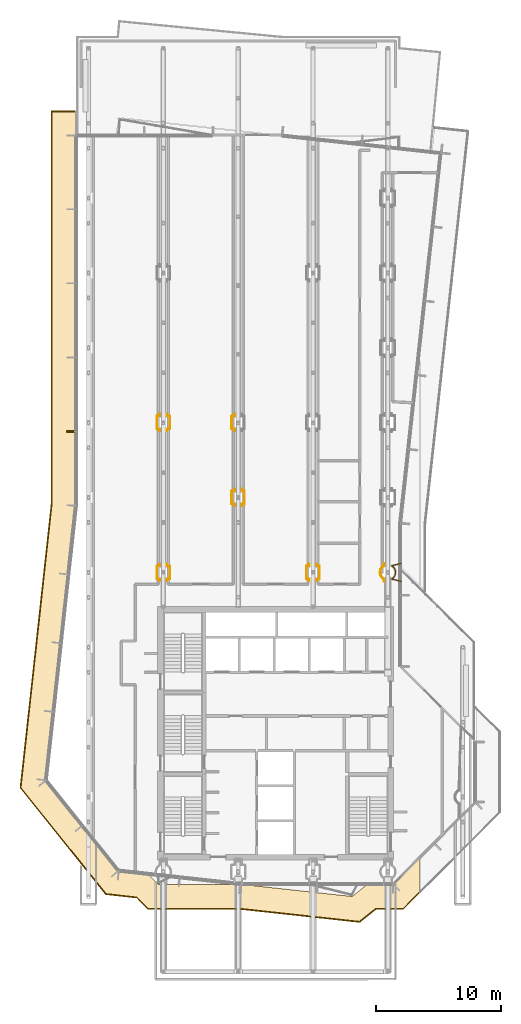
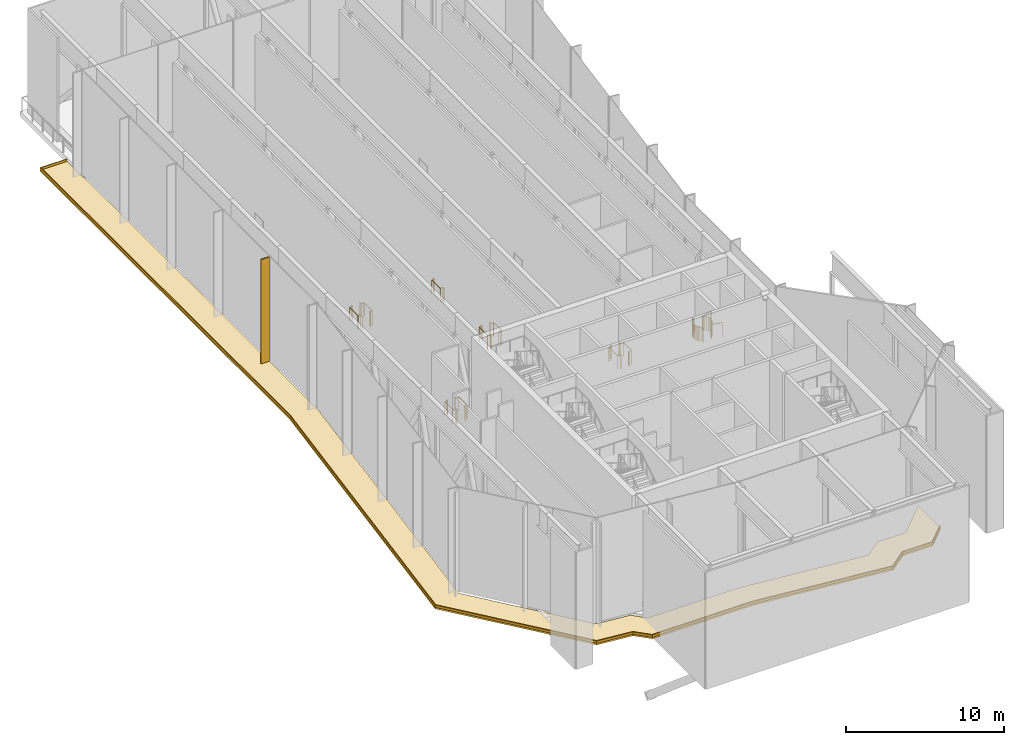
# One storey, part 19 of 21: 11 railings, 3 coverings.
"""IFC4 building model written with IfcOpenShell, lengths in metres."""

from ifc_helpers import new_model, si_unit, direction, frame, origin, origin_2d, place, context, subcontext, project, spatial, polyline, rectangle, circle, outline, extrude, material, layer, layer_set, type_object, element, save


model = new_model("IFC4")

# Units and contexts
model_context = context("Model", 3, precision=1e-05, world=origin(), true_north=direction((0.0, 1.0)))
body_context = subcontext(model_context, "Body", "Model", "MODEL_VIEW")
ifc_project = project(units=[si_unit("LENGTHUNIT", "METRE"), si_unit("AREAUNIT", "SQUARE_METRE"), si_unit("VOLUMEUNIT", "CUBIC_METRE"), si_unit("PLANEANGLEUNIT", "RADIAN"), si_unit("MASSUNIT", "GRAM", prefix="KILO")], contexts=[model_context])

# Site, building, storey
site_placement = place(None, origin())
site = spatial("IfcSite", under=ifc_project, at=site_placement, CompositionType="ELEMENT")
building_placement = place(site_placement, origin())
building = spatial("IfcBuilding", under=site, at=building_placement, Name="Welwitschia Terrace Campus", CompositionType="ELEMENT")
storey_placement = place(building_placement, frame((0.0, 0.0, 255.800048828125)))
storey = spatial("IfcBuildingStorey", under=building, at=storey_placement, Name="L57", CompositionType="ELEMENT", Elevation=255.800048828125)

# Covering
ifc_material_1 = material(Name="Bronze anodised aluminium", Category="aluminium")
ifc_layer_1 = layer(ifc_material_1, 0.10009765625)
ifc_layer_set_1 = layer_set([ifc_layer_1], Name="Bronze anodised aluminium")
covering_type_1 = type_object("IfcCoveringType", Name="Bronze fin 100x600", PredefinedType="USERDEFINED", material=ifc_layer_set_1)
covering_1_placement = place(storey_placement, frame((-1.429931640625, 39.286865234375, 0.0), z_axis=(0.0, 0.0, 1.0), x_axis=(0.0, -1.0, 0.0)))
element("IfcCovering", 1, at=covering_1_placement, inside=storey, type_object=covering_type_1, Name="Fin L57.7.4", ObjectType="FIN", PredefinedType="USERDEFINED", context=body_context, shape_type="SweptSolid", body=[
    extrude(rectangle(XDim=0.10009765625, YDim=0.60009765625, at=origin_2d()), origin(), (0.0, 0.0, 1.0), 8.050048828125),
])

# Railings
ifc_material_2 = material(Name="Stainless steel grade 316", Category="steel")
railing_type = type_object("IfcRailingType", Name="Guard 1100", PredefinedType="GUARDRAIL", material=ifc_material_2)
railing_1_placement = place(storey_placement, frame((23.695068359375, 28.71728515625, 0.0)))
element("IfcRailing", 2, at=railing_1_placement, inside=storey, type_object=railing_type, Name="Guard floor edge L57.6", PredefinedType="GUARDRAIL", context=body_context, shape_type="SweptSolid", body=[
    extrude(circle(Radius=0.02392578125, at=origin_2d()), frame((0.0, 0.0, 1.076171875), z_axis=(0.0, -1.0, 0.0), x_axis=(1.0, 0.0, 0.0)), (0.0, 0.0, 1.0), 0.179931640625),
    extrude(circle(Radius=0.02392578125, at=origin_2d()), frame((0.0, -0.179931640625, 1.076171875), z_axis=(-0.882203075316, -0.470869126089, 0.0), x_axis=(0.470869126089, -0.882203075316, 0.0)), (0.0, 0.0, 1.0), 0.045166015625),
    extrude(circle(Radius=0.02392578125, at=origin_2d()), frame((-0.039794921875, -0.201171875, 1.076171875), z_axis=(-0.771988113438, -0.63563696613, 0.0), x_axis=(0.63563696613, -0.771988113438, 0.0)), (0.0, 0.0, 1.0), 0.121826171875),
    extrude(circle(Radius=0.02392578125, at=origin_2d()), frame((-0.1337890625, -0.278564453125, 1.076171875), z_axis=(-0.63563696613, -0.771988113438, 0.0), x_axis=(0.771988113438, -0.63563696613, 0.0)), (0.0, 0.0, 1.0), 0.121826171875),
    extrude(circle(Radius=0.02392578125, at=origin_2d()), frame((-0.211181640625, -0.37255859375, 1.076171875), z_axis=(-0.470379554069, -0.882464206138, 0.0), x_axis=(0.882464206138, -0.470379554069, 0.0)), (0.0, 0.0, 1.0), 0.121337890625),
    extrude(circle(Radius=0.02392578125, at=origin_2d()), frame((-0.268310546875, -0.479736328125, 1.076171875), z_axis=(-0.290842335819, -0.956770994384, 0.0), x_axis=(0.956770994384, -0.290842335819, 0.0)), (0.0, 0.0, 1.0), 0.121826171875),
    extrude(circle(Radius=0.02392578125, at=origin_2d()), frame((-0.3037109375, -0.59619140625, 1.076171875), z_axis=(-0.098311749281, -0.995155666192, 0.0), x_axis=(0.995155666192, -0.098311749281, 0.0)), (0.0, 0.0, 1.0), 0.12158203125),
    extrude(circle(Radius=0.02392578125, at=origin_2d()), frame((-0.315673828125, -0.71728515625, 1.076171875), z_axis=(0.098311749281, -0.995155666192, 0.0), x_axis=(0.995155666192, 0.098311749281, 0.0)), (0.0, 0.0, 1.0), 0.12158203125),
    extrude(circle(Radius=0.02392578125, at=origin_2d()), frame((-0.3037109375, -0.83837890625, 1.076171875), z_axis=(0.290842335819, -0.956770994384, 0.0), x_axis=(0.956770994384, 0.290842335819, 0.0)), (0.0, 0.0, 1.0), 0.121826171875),
    extrude(circle(Radius=0.02392578125, at=origin_2d()), frame((-0.268310546875, -0.954833984375, 1.076171875), z_axis=(0.470379554069, -0.882464206138, 0.0), x_axis=(0.882464206138, 0.470379554069, 0.0)), (0.0, 0.0, 1.0), 0.121337890625),
    extrude(circle(Radius=0.02392578125, at=origin_2d()), frame((-0.211181640625, -1.06201171875, 1.076171875), z_axis=(0.63563696613, -0.771988113438, 0.0), x_axis=(0.771988113438, 0.63563696613, 0.0)), (0.0, 0.0, 1.0), 0.121826171875),
    extrude(circle(Radius=0.02392578125, at=origin_2d()), frame((-0.1337890625, -1.156005859375, 1.076171875), z_axis=(0.771988113438, -0.63563696613, 0.0), x_axis=(0.63563696613, 0.771988113438, 0.0)), (0.0, 0.0, 1.0), 0.121826171875),
    extrude(circle(Radius=0.02392578125, at=origin_2d()), frame((-0.039794921875, -1.2333984375, 1.076171875), z_axis=(0.882203075316, -0.470869126089, 0.0), x_axis=(0.470869126089, 0.882203075316, 0.0)), (0.0, 0.0, 1.0), 0.045166015625),
    extrude(circle(Radius=0.02392578125, at=origin_2d()), frame((0.0, -1.254638671875, 1.076171875), z_axis=(0.0, -1.0, 0.0), x_axis=(1.0, 0.0, 0.0)), (0.0, 0.0, 1.0), 0.179931640625),
    extrude(circle(Radius=0.02099609375, at=origin_2d()), origin(), (0.0, 0.0, 1.0), 1.052001953125),
    extrude(circle(Radius=0.02099609375, at=origin_2d()), frame((0.0, -0.179931640625, 0.0)), (0.0, 0.0, 1.0), 1.052001953125),
    extrude(circle(Radius=0.02099609375, at=origin_2d()), frame((-0.039794921875, -0.201171875, 0.0)), (0.0, 0.0, 1.0), 1.052001953125),
    extrude(circle(Radius=0.02099609375, at=origin_2d()), frame((-0.1337890625, -0.278564453125, 0.0)), (0.0, 0.0, 1.0), 1.052001953125),
    extrude(circle(Radius=0.02099609375, at=origin_2d()), frame((-0.211181640625, -0.37255859375, 0.0)), (0.0, 0.0, 1.0), 1.052001953125),
    extrude(circle(Radius=0.02099609375, at=origin_2d()), frame((-0.268310546875, -0.479736328125, 0.0)), (0.0, 0.0, 1.0), 1.052001953125),
    extrude(circle(Radius=0.02099609375, at=origin_2d()), frame((-0.3037109375, -0.59619140625, 0.0)), (0.0, 0.0, 1.0), 1.052001953125),
    extrude(circle(Radius=0.02099609375, at=origin_2d()), frame((-0.315673828125, -0.71728515625, 0.0)), (0.0, 0.0, 1.0), 1.052001953125),
    extrude(circle(Radius=0.02099609375, at=origin_2d()), frame((-0.3037109375, -0.83837890625, 0.0)), (0.0, 0.0, 1.0), 1.052001953125),
    extrude(circle(Radius=0.02099609375, at=origin_2d()), frame((-0.268310546875, -0.954833984375, 0.0)), (0.0, 0.0, 1.0), 1.052001953125),
    extrude(circle(Radius=0.02099609375, at=origin_2d()), frame((-0.211181640625, -1.06201171875, 0.0)), (0.0, 0.0, 1.0), 1.052001953125),
    extrude(circle(Radius=0.02099609375, at=origin_2d()), frame((-0.1337890625, -1.156005859375, 0.0)), (0.0, 0.0, 1.0), 1.052001953125),
    extrude(circle(Radius=0.02099609375, at=origin_2d()), frame((-0.039794921875, -1.2333984375, 0.0)), (0.0, 0.0, 1.0), 1.052001953125),
    extrude(circle(Radius=0.02099609375, at=origin_2d()), frame((0.0, -1.254638671875, 0.0)), (0.0, 0.0, 1.0), 1.052001953125),
    extrude(circle(Radius=0.02099609375, at=origin_2d()), frame((0.0, -1.4345703125, 0.0)), (0.0, 0.0, 1.0), 1.052001953125),
])
railing_2_placement = place(storey_placement, frame((25.050048828125, 27.28271484375, 0.0)))
element("IfcRailing", 3, at=railing_2_placement, inside=storey, type_object=railing_type, Name="Guard floor edge L57.7", PredefinedType="GUARDRAIL", context=body_context, shape_type="SweptSolid", body=[
    extrude(circle(Radius=0.02392578125, at=origin_2d()), frame((0.0, 0.0, 1.076171875), z_axis=(-0.972059658635, 0.234733934605, 0.0), x_axis=(-0.234733934605, -0.972059658635, 0.0)), (0.0, 0.0, 1.0), 0.7666015625),
    extrude(circle(Radius=0.02392578125, at=origin_2d()), frame((-0.7451171875, 0.179931640625, 1.076171875), z_axis=(0.882203075316, 0.470869126089, 0.0), x_axis=(-0.470869126089, 0.882203075316, 0.0)), (0.0, 0.0, 1.0), 0.045166015625),
    extrude(circle(Radius=0.02392578125, at=origin_2d()), frame((-0.705322265625, 0.201171875, 1.076171875), z_axis=(0.771988113438, 0.63563696613, 0.0), x_axis=(-0.63563696613, 0.771988113438, 0.0)), (0.0, 0.0, 1.0), 0.121826171875),
    extrude(circle(Radius=0.02392578125, at=origin_2d()), frame((-0.611328125, 0.278564453125, 1.076171875), z_axis=(0.63563696613, 0.771988113438, 0.0), x_axis=(-0.771988113438, 0.63563696613, 0.0)), (0.0, 0.0, 1.0), 0.121826171875),
    extrude(circle(Radius=0.02392578125, at=origin_2d()), frame((-0.533935546875, 0.37255859375, 1.076171875), z_axis=(0.470379554069, 0.882464206138, 0.0), x_axis=(-0.882464206138, 0.470379554069, 0.0)), (0.0, 0.0, 1.0), 0.121337890625),
    extrude(circle(Radius=0.02392578125, at=origin_2d()), frame((-0.476806640625, 0.479736328125, 1.076171875), z_axis=(0.290842335819, 0.956770994384, 0.0), x_axis=(-0.956770994384, 0.290842335819, 0.0)), (0.0, 0.0, 1.0), 0.121826171875),
    extrude(circle(Radius=0.02392578125, at=origin_2d()), frame((-0.44140625, 0.59619140625, 1.076171875), z_axis=(0.098311749281, 0.995155666192, 0.0), x_axis=(-0.995155666192, 0.098311749281, 0.0)), (0.0, 0.0, 1.0), 0.12158203125),
    extrude(circle(Radius=0.02392578125, at=origin_2d()), frame((-0.429443359375, 0.71728515625, 1.076171875), z_axis=(-0.098311749281, 0.995155666192, 0.0), x_axis=(-0.995155666192, -0.098311749281, 0.0)), (0.0, 0.0, 1.0), 0.12158203125),
    extrude(circle(Radius=0.02392578125, at=origin_2d()), frame((-0.44140625, 0.83837890625, 1.076171875), z_axis=(-0.290842335819, 0.956770994384, 0.0), x_axis=(-0.956770994384, -0.290842335819, 0.0)), (0.0, 0.0, 1.0), 0.121826171875),
    extrude(circle(Radius=0.02392578125, at=origin_2d()), frame((-0.476806640625, 0.954833984375, 1.076171875), z_axis=(-0.470379554069, 0.882464206138, 0.0), x_axis=(-0.882464206138, -0.470379554069, 0.0)), (0.0, 0.0, 1.0), 0.121337890625),
    extrude(circle(Radius=0.02392578125, at=origin_2d()), frame((-0.533935546875, 1.06201171875, 1.076171875), z_axis=(-0.63563696613, 0.771988113438, 0.0), x_axis=(-0.771988113438, -0.63563696613, 0.0)), (0.0, 0.0, 1.0), 0.121826171875),
    extrude(circle(Radius=0.02392578125, at=origin_2d()), frame((-0.611328125, 1.156005859375, 1.076171875), z_axis=(-0.771988113438, 0.63563696613, 0.0), x_axis=(-0.63563696613, -0.771988113438, 0.0)), (0.0, 0.0, 1.0), 0.121826171875),
    extrude(circle(Radius=0.02392578125, at=origin_2d()), frame((-0.705322265625, 1.2333984375, 1.076171875), z_axis=(-0.882203075316, 0.470869126089, 0.0), x_axis=(-0.470869126089, -0.882203075316, 0.0)), (0.0, 0.0, 1.0), 0.045166015625),
    extrude(circle(Radius=0.02392578125, at=origin_2d()), frame((-0.7451171875, 1.254638671875, 1.076171875), z_axis=(0.972059658635, 0.234733934605, 0.0), x_axis=(-0.234733934605, 0.972059658635, 0.0)), (0.0, 0.0, 1.0), 0.7666015625),
    extrude(circle(Radius=0.02099609375, at=origin_2d()), origin(), (0.0, 0.0, 1.0), 1.052001953125),
    extrude(circle(Radius=0.02099609375, at=origin_2d()), frame((-0.7451171875, 0.179931640625, 0.0)), (0.0, 0.0, 1.0), 1.052001953125),
    extrude(circle(Radius=0.02099609375, at=origin_2d()), frame((-0.705322265625, 0.201171875, 0.0)), (0.0, 0.0, 1.0), 1.052001953125),
    extrude(circle(Radius=0.02099609375, at=origin_2d()), frame((-0.611328125, 0.278564453125, 0.0)), (0.0, 0.0, 1.0), 1.052001953125),
    extrude(circle(Radius=0.02099609375, at=origin_2d()), frame((-0.533935546875, 0.37255859375, 0.0)), (0.0, 0.0, 1.0), 1.052001953125),
    extrude(circle(Radius=0.02099609375, at=origin_2d()), frame((-0.476806640625, 0.479736328125, 0.0)), (0.0, 0.0, 1.0), 1.052001953125),
    extrude(circle(Radius=0.02099609375, at=origin_2d()), frame((-0.44140625, 0.59619140625, 0.0)), (0.0, 0.0, 1.0), 1.052001953125),
    extrude(circle(Radius=0.02099609375, at=origin_2d()), frame((-0.429443359375, 0.71728515625, 0.0)), (0.0, 0.0, 1.0), 1.052001953125),
    extrude(circle(Radius=0.02099609375, at=origin_2d()), frame((-0.44140625, 0.83837890625, 0.0)), (0.0, 0.0, 1.0), 1.052001953125),
    extrude(circle(Radius=0.02099609375, at=origin_2d()), frame((-0.476806640625, 0.954833984375, 0.0)), (0.0, 0.0, 1.0), 1.052001953125),
    extrude(circle(Radius=0.02099609375, at=origin_2d()), frame((-0.533935546875, 1.06201171875, 0.0)), (0.0, 0.0, 1.0), 1.052001953125),
    extrude(circle(Radius=0.02099609375, at=origin_2d()), frame((-0.611328125, 1.156005859375, 0.0)), (0.0, 0.0, 1.0), 1.052001953125),
    extrude(circle(Radius=0.02099609375, at=origin_2d()), frame((-0.705322265625, 1.2333984375, 0.0)), (0.0, 0.0, 1.0), 1.052001953125),
    extrude(circle(Radius=0.02099609375, at=origin_2d()), frame((-0.7451171875, 1.254638671875, 0.0)), (0.0, 0.0, 1.0), 1.052001953125),
    extrude(circle(Radius=0.02099609375, at=origin_2d()), frame((0.0, 1.4345703125, 0.0)), (0.0, 0.0, 1.0), 1.052001953125),
])
railing_3_placement = place(storey_placement, frame((17.695068359375, 28.679931640625, 0.0)))
element("IfcRailing", 4, at=railing_3_placement, inside=storey, type_object=railing_type, Name="Guard floor edge L57.19", PredefinedType="GUARDRAIL", context=body_context, shape_type="SweptSolid", body=[
    extrude(circle(Radius=0.02392578125, at=origin_2d()), frame((0.0, 0.0, 1.076171875), z_axis=(0.0, -1.0, 0.0), x_axis=(1.0, 0.0, 0.0)), (0.0, 0.0, 1.0), 0.159912109375),
    extrude(circle(Radius=0.02392578125, at=origin_2d()), frame((0.0, -0.159912109375, 1.076171875), z_axis=(-1.0, 0.0, 0.0), x_axis=(0.0, -1.0, 0.0)), (0.0, 0.0, 1.0), 0.215087890625),
    extrude(circle(Radius=0.02392578125, at=origin_2d()), frame((-0.215087890625, -0.159912109375, 1.076171875), z_axis=(0.0, -1.0, 0.0), x_axis=(1.0, 0.0, 0.0)), (0.0, 0.0, 1.0), 1.0400390625),
    extrude(circle(Radius=0.02392578125, at=origin_2d()), frame((-0.215087890625, -1.199951171875, 1.076171875), z_axis=(1.0, 0.0, 0.0), x_axis=(0.0, 1.0, 0.0)), (0.0, 0.0, 1.0), 0.215087890625),
    extrude(circle(Radius=0.02392578125, at=origin_2d()), frame((0.0, -1.199951171875, 1.076171875), z_axis=(0.0, -1.0, 0.0), x_axis=(1.0, 0.0, 0.0)), (0.0, 0.0, 1.0), 0.159912109375),
    extrude(circle(Radius=0.02099609375, at=origin_2d()), origin(), (0.0, 0.0, 1.0), 1.052001953125),
    extrude(circle(Radius=0.02099609375, at=origin_2d()), frame((0.0, -0.159912109375, 0.0)), (0.0, 0.0, 1.0), 1.052001953125),
    extrude(circle(Radius=0.02099609375, at=origin_2d()), frame((-0.215087890625, -0.159912109375, 0.0)), (0.0, 0.0, 1.0), 1.052001953125),
    extrude(circle(Radius=0.02099609375, at=origin_2d()), frame((-0.215087890625, -1.199951171875, 0.0)), (0.0, 0.0, 1.0), 1.052001953125),
    extrude(circle(Radius=0.02099609375, at=origin_2d()), frame((0.0, -1.199951171875, 0.0)), (0.0, 0.0, 1.0), 1.052001953125),
    extrude(circle(Radius=0.02099609375, at=origin_2d()), frame((0.0, -1.35986328125, 0.0)), (0.0, 0.0, 1.0), 1.052001953125),
])
railing_4_placement = place(storey_placement, frame((18.304931640625, 27.320068359375, 0.0)))
element("IfcRailing", 5, at=railing_4_placement, inside=storey, type_object=railing_type, Name="Guard floor edge L57.20", PredefinedType="GUARDRAIL", context=body_context, shape_type="SweptSolid", body=[
    extrude(circle(Radius=0.02392578125, at=origin_2d()), frame((0.0, 0.0, 1.076171875), z_axis=(0.0, 1.0, 0.0), x_axis=(-1.0, 0.0, 0.0)), (0.0, 0.0, 1.0), 0.159912109375),
    extrude(circle(Radius=0.02392578125, at=origin_2d()), frame((0.0, 0.159912109375, 1.076171875), z_axis=(1.0, 0.0, 0.0), x_axis=(0.0, 1.0, 0.0)), (0.0, 0.0, 1.0), 0.215087890625),
    extrude(circle(Radius=0.02392578125, at=origin_2d()), frame((0.215087890625, 0.159912109375, 1.076171875), z_axis=(0.0, 1.0, 0.0), x_axis=(-1.0, 0.0, 0.0)), (0.0, 0.0, 1.0), 1.0400390625),
    extrude(circle(Radius=0.02392578125, at=origin_2d()), frame((0.215087890625, 1.199951171875, 1.076171875), z_axis=(-1.0, 0.0, 0.0), x_axis=(0.0, -1.0, 0.0)), (0.0, 0.0, 1.0), 0.215087890625),
    extrude(circle(Radius=0.02392578125, at=origin_2d()), frame((0.0, 1.199951171875, 1.076171875), z_axis=(0.0, 1.0, 0.0), x_axis=(-1.0, 0.0, 0.0)), (0.0, 0.0, 1.0), 0.159912109375),
    extrude(circle(Radius=0.02099609375, at=origin_2d()), origin(), (0.0, 0.0, 1.0), 1.052001953125),
    extrude(circle(Radius=0.02099609375, at=origin_2d()), frame((0.0, 0.159912109375, 0.0)), (0.0, 0.0, 1.0), 1.052001953125),
    extrude(circle(Radius=0.02099609375, at=origin_2d()), frame((0.215087890625, 0.159912109375, 0.0)), (0.0, 0.0, 1.0), 1.052001953125),
    extrude(circle(Radius=0.02099609375, at=origin_2d()), frame((0.215087890625, 1.199951171875, 0.0)), (0.0, 0.0, 1.0), 1.052001953125),
    extrude(circle(Radius=0.02099609375, at=origin_2d()), frame((0.0, 1.199951171875, 0.0)), (0.0, 0.0, 1.0), 1.052001953125),
    extrude(circle(Radius=0.02099609375, at=origin_2d()), frame((0.0, 1.35986328125, 0.0)), (0.0, 0.0, 1.0), 1.052001953125),
])
railing_5_placement = place(storey_placement, frame((11.695068359375, 34.679931640625, 0.0)))
element("IfcRailing", 6, at=railing_5_placement, inside=storey, type_object=railing_type, Name="Guard floor edge L57.26", PredefinedType="GUARDRAIL", context=body_context, shape_type="SweptSolid", body=[
    extrude(circle(Radius=0.02392578125, at=origin_2d()), frame((0.0, 0.0, 1.076171875), z_axis=(0.0, -1.0, 0.0), x_axis=(1.0, 0.0, 0.0)), (0.0, 0.0, 1.0), 0.159912109375),
    extrude(circle(Radius=0.02392578125, at=origin_2d()), frame((0.0, -0.159912109375, 1.076171875), z_axis=(-1.0, 0.0, 0.0), x_axis=(0.0, -1.0, 0.0)), (0.0, 0.0, 1.0), 0.215087890625),
    extrude(circle(Radius=0.02392578125, at=origin_2d()), frame((-0.215087890625, -0.159912109375, 1.076171875), z_axis=(0.0, -1.0, 0.0), x_axis=(1.0, 0.0, 0.0)), (0.0, 0.0, 1.0), 1.0400390625),
    extrude(circle(Radius=0.02392578125, at=origin_2d()), frame((-0.215087890625, -1.199951171875, 1.076171875), z_axis=(1.0, 0.0, 0.0), x_axis=(0.0, 1.0, 0.0)), (0.0, 0.0, 1.0), 0.215087890625),
    extrude(circle(Radius=0.02392578125, at=origin_2d()), frame((0.0, -1.199951171875, 1.076171875), z_axis=(0.0, -1.0, 0.0), x_axis=(1.0, 0.0, 0.0)), (0.0, 0.0, 1.0), 0.159912109375),
    extrude(circle(Radius=0.02099609375, at=origin_2d()), origin(), (0.0, 0.0, 1.0), 1.052001953125),
    extrude(circle(Radius=0.02099609375, at=origin_2d()), frame((0.0, -0.159912109375, 0.0)), (0.0, 0.0, 1.0), 1.052001953125),
    extrude(circle(Radius=0.02099609375, at=origin_2d()), frame((-0.215087890625, -0.159912109375, 0.0)), (0.0, 0.0, 1.0), 1.052001953125),
    extrude(circle(Radius=0.02099609375, at=origin_2d()), frame((-0.215087890625, -1.199951171875, 0.0)), (0.0, 0.0, 1.0), 1.052001953125),
    extrude(circle(Radius=0.02099609375, at=origin_2d()), frame((0.0, -1.199951171875, 0.0)), (0.0, 0.0, 1.0), 1.052001953125),
    extrude(circle(Radius=0.02099609375, at=origin_2d()), frame((0.0, -1.35986328125, 0.0)), (0.0, 0.0, 1.0), 1.052001953125),
])
railing_6_placement = place(storey_placement, frame((12.304931640625, 33.320068359375, 0.0)))
element("IfcRailing", 7, at=railing_6_placement, inside=storey, type_object=railing_type, Name="Guard floor edge L57.27", PredefinedType="GUARDRAIL", context=body_context, shape_type="SweptSolid", body=[
    extrude(circle(Radius=0.02392578125, at=origin_2d()), frame((0.0, 0.0, 1.076171875), z_axis=(0.0, 1.0, 0.0), x_axis=(-1.0, 0.0, 0.0)), (0.0, 0.0, 1.0), 0.159912109375),
    extrude(circle(Radius=0.02392578125, at=origin_2d()), frame((0.0, 0.159912109375, 1.076171875), z_axis=(1.0, 0.0, 0.0), x_axis=(0.0, 1.0, 0.0)), (0.0, 0.0, 1.0), 0.215087890625),
    extrude(circle(Radius=0.02392578125, at=origin_2d()), frame((0.215087890625, 0.159912109375, 1.076171875), z_axis=(0.0, 1.0, 0.0), x_axis=(-1.0, 0.0, 0.0)), (0.0, 0.0, 1.0), 1.0400390625),
    extrude(circle(Radius=0.02392578125, at=origin_2d()), frame((0.215087890625, 1.199951171875, 1.076171875), z_axis=(-1.0, 0.0, 0.0), x_axis=(0.0, -1.0, 0.0)), (0.0, 0.0, 1.0), 0.215087890625),
    extrude(circle(Radius=0.02392578125, at=origin_2d()), frame((0.0, 1.199951171875, 1.076171875), z_axis=(0.0, 1.0, 0.0), x_axis=(-1.0, 0.0, 0.0)), (0.0, 0.0, 1.0), 0.159912109375),
    extrude(circle(Radius=0.02099609375, at=origin_2d()), origin(), (0.0, 0.0, 1.0), 1.052001953125),
    extrude(circle(Radius=0.02099609375, at=origin_2d()), frame((0.0, 0.159912109375, 0.0)), (0.0, 0.0, 1.0), 1.052001953125),
    extrude(circle(Radius=0.02099609375, at=origin_2d()), frame((0.215087890625, 0.159912109375, 0.0)), (0.0, 0.0, 1.0), 1.052001953125),
    extrude(circle(Radius=0.02099609375, at=origin_2d()), frame((0.215087890625, 1.199951171875, 0.0)), (0.0, 0.0, 1.0), 1.052001953125),
    extrude(circle(Radius=0.02099609375, at=origin_2d()), frame((0.0, 1.199951171875, 0.0)), (0.0, 0.0, 1.0), 1.052001953125),
    extrude(circle(Radius=0.02099609375, at=origin_2d()), frame((0.0, 1.35986328125, 0.0)), (0.0, 0.0, 1.0), 1.052001953125),
])
for number, where, name in (
    (8, (11.695068359375, 40.679931640625, 0.0), "Guard floor edge L57.28"),
    (9, (5.695068359375, 28.679931640625, 0.0), "Guard floor edge L57.31"),
):
    element("IfcRailing", number, at=place(storey_placement, frame(where)), inside=storey, type_object=railing_type, Name=name, PredefinedType="GUARDRAIL", context=body_context, shape_type="SweptSolid", body=[
        extrude(circle(Radius=0.02392578125, at=origin_2d()), frame((0.0, 0.0, 1.076171875), z_axis=(0.0, -1.0, 0.0), x_axis=(1.0, 0.0, 0.0)), (0.0, 0.0, 1.0), 0.159912109375),
        extrude(circle(Radius=0.02392578125, at=origin_2d()), frame((0.0, -0.159912109375, 1.076171875), z_axis=(-1.0, 0.0, 0.0), x_axis=(0.0, -1.0, 0.0)), (0.0, 0.0, 1.0), 0.215087890625),
        extrude(circle(Radius=0.02392578125, at=origin_2d()), frame((-0.215087890625, -0.159912109375, 1.076171875), z_axis=(0.0, -1.0, 0.0), x_axis=(1.0, 0.0, 0.0)), (0.0, 0.0, 1.0), 1.0400390625),
        extrude(circle(Radius=0.02392578125, at=origin_2d()), frame((-0.215087890625, -1.199951171875, 1.076171875), z_axis=(1.0, 0.0, 0.0), x_axis=(0.0, 1.0, 0.0)), (0.0, 0.0, 1.0), 0.215087890625),
        extrude(circle(Radius=0.02392578125, at=origin_2d()), frame((0.0, -1.199951171875, 1.076171875), z_axis=(0.0, -1.0, 0.0), x_axis=(1.0, 0.0, 0.0)), (0.0, 0.0, 1.0), 0.159912109375),
        extrude(circle(Radius=0.02099609375, at=origin_2d()), origin(), (0.0, 0.0, 1.0), 1.052001953125),
        extrude(circle(Radius=0.02099609375, at=origin_2d()), frame((0.0, -0.159912109375, 0.0)), (0.0, 0.0, 1.0), 1.052001953125),
        extrude(circle(Radius=0.02099609375, at=origin_2d()), frame((-0.215087890625, -0.159912109375, 0.0)), (0.0, 0.0, 1.0), 1.052001953125),
        extrude(circle(Radius=0.02099609375, at=origin_2d()), frame((-0.215087890625, -1.199951171875, 0.0)), (0.0, 0.0, 1.0), 1.052001953125),
        extrude(circle(Radius=0.02099609375, at=origin_2d()), frame((0.0, -1.199951171875, 0.0)), (0.0, 0.0, 1.0), 1.052001953125),
        extrude(circle(Radius=0.02099609375, at=origin_2d()), frame((0.0, -1.35986328125, 0.0)), (0.0, 0.0, 1.0), 1.052001953125),
    ])
railing_7_placement = place(storey_placement, frame((6.304931640625, 27.320068359375, 0.0)))
element("IfcRailing", 10, at=railing_7_placement, inside=storey, type_object=railing_type, Name="Guard floor edge L57.32", PredefinedType="GUARDRAIL", context=body_context, shape_type="SweptSolid", body=[
    extrude(circle(Radius=0.02392578125, at=origin_2d()), frame((0.0, 0.0, 1.076171875), z_axis=(0.0, 1.0, 0.0), x_axis=(-1.0, 0.0, 0.0)), (0.0, 0.0, 1.0), 0.159912109375),
    extrude(circle(Radius=0.02392578125, at=origin_2d()), frame((0.0, 0.159912109375, 1.076171875), z_axis=(1.0, 0.0, 0.0), x_axis=(0.0, 1.0, 0.0)), (0.0, 0.0, 1.0), 0.215087890625),
    extrude(circle(Radius=0.02392578125, at=origin_2d()), frame((0.215087890625, 0.159912109375, 1.076171875), z_axis=(0.0, 1.0, 0.0), x_axis=(-1.0, 0.0, 0.0)), (0.0, 0.0, 1.0), 1.0400390625),
    extrude(circle(Radius=0.02392578125, at=origin_2d()), frame((0.215087890625, 1.199951171875, 1.076171875), z_axis=(-1.0, 0.0, 0.0), x_axis=(0.0, -1.0, 0.0)), (0.0, 0.0, 1.0), 0.215087890625),
    extrude(circle(Radius=0.02392578125, at=origin_2d()), frame((0.0, 1.199951171875, 1.076171875), z_axis=(0.0, 1.0, 0.0), x_axis=(-1.0, 0.0, 0.0)), (0.0, 0.0, 1.0), 0.159912109375),
    extrude(circle(Radius=0.02099609375, at=origin_2d()), origin(), (0.0, 0.0, 1.0), 1.052001953125),
    extrude(circle(Radius=0.02099609375, at=origin_2d()), frame((0.0, 0.159912109375, 0.0)), (0.0, 0.0, 1.0), 1.052001953125),
    extrude(circle(Radius=0.02099609375, at=origin_2d()), frame((0.215087890625, 0.159912109375, 0.0)), (0.0, 0.0, 1.0), 1.052001953125),
    extrude(circle(Radius=0.02099609375, at=origin_2d()), frame((0.215087890625, 1.199951171875, 0.0)), (0.0, 0.0, 1.0), 1.052001953125),
    extrude(circle(Radius=0.02099609375, at=origin_2d()), frame((0.0, 1.199951171875, 0.0)), (0.0, 0.0, 1.0), 1.052001953125),
    extrude(circle(Radius=0.02099609375, at=origin_2d()), frame((0.0, 1.35986328125, 0.0)), (0.0, 0.0, 1.0), 1.052001953125),
])
railing_8_placement = place(storey_placement, frame((5.695068359375, 40.679931640625, 0.0)))
element("IfcRailing", 11, at=railing_8_placement, inside=storey, type_object=railing_type, Name="Guard floor edge L57.33", PredefinedType="GUARDRAIL", context=body_context, shape_type="SweptSolid", body=[
    extrude(circle(Radius=0.02392578125, at=origin_2d()), frame((0.0, 0.0, 1.076171875), z_axis=(0.0, -1.0, 0.0), x_axis=(1.0, 0.0, 0.0)), (0.0, 0.0, 1.0), 0.159912109375),
    extrude(circle(Radius=0.02392578125, at=origin_2d()), frame((0.0, -0.159912109375, 1.076171875), z_axis=(-1.0, 0.0, 0.0), x_axis=(0.0, -1.0, 0.0)), (0.0, 0.0, 1.0), 0.215087890625),
    extrude(circle(Radius=0.02392578125, at=origin_2d()), frame((-0.215087890625, -0.159912109375, 1.076171875), z_axis=(0.0, -1.0, 0.0), x_axis=(1.0, 0.0, 0.0)), (0.0, 0.0, 1.0), 1.0400390625),
    extrude(circle(Radius=0.02392578125, at=origin_2d()), frame((-0.215087890625, -1.199951171875, 1.076171875), z_axis=(1.0, 0.0, 0.0), x_axis=(0.0, 1.0, 0.0)), (0.0, 0.0, 1.0), 0.215087890625),
    extrude(circle(Radius=0.02392578125, at=origin_2d()), frame((0.0, -1.199951171875, 1.076171875), z_axis=(0.0, -1.0, 0.0), x_axis=(1.0, 0.0, 0.0)), (0.0, 0.0, 1.0), 0.159912109375),
    extrude(circle(Radius=0.02099609375, at=origin_2d()), origin(), (0.0, 0.0, 1.0), 1.052001953125),
    extrude(circle(Radius=0.02099609375, at=origin_2d()), frame((0.0, -0.159912109375, 0.0)), (0.0, 0.0, 1.0), 1.052001953125),
    extrude(circle(Radius=0.02099609375, at=origin_2d()), frame((-0.215087890625, -0.159912109375, 0.0)), (0.0, 0.0, 1.0), 1.052001953125),
    extrude(circle(Radius=0.02099609375, at=origin_2d()), frame((-0.215087890625, -1.199951171875, 0.0)), (0.0, 0.0, 1.0), 1.052001953125),
    extrude(circle(Radius=0.02099609375, at=origin_2d()), frame((0.0, -1.199951171875, 0.0)), (0.0, 0.0, 1.0), 1.052001953125),
    extrude(circle(Radius=0.02099609375, at=origin_2d()), frame((0.0, -1.35986328125, 0.0)), (0.0, 0.0, 1.0), 1.052001953125),
])
railing_9_placement = place(storey_placement, frame((6.304931640625, 39.320068359375, 0.0)))
element("IfcRailing", 12, at=railing_9_placement, inside=storey, type_object=railing_type, Name="Guard floor edge L57.34", PredefinedType="GUARDRAIL", context=body_context, shape_type="SweptSolid", body=[
    extrude(circle(Radius=0.02392578125, at=origin_2d()), frame((0.0, 0.0, 1.076171875), z_axis=(0.0, 1.0, 0.0), x_axis=(-1.0, 0.0, 0.0)), (0.0, 0.0, 1.0), 0.159912109375),
    extrude(circle(Radius=0.02392578125, at=origin_2d()), frame((0.0, 0.159912109375, 1.076171875), z_axis=(1.0, 0.0, 0.0), x_axis=(0.0, 1.0, 0.0)), (0.0, 0.0, 1.0), 0.215087890625),
    extrude(circle(Radius=0.02392578125, at=origin_2d()), frame((0.215087890625, 0.159912109375, 1.076171875), z_axis=(0.0, 1.0, 0.0), x_axis=(-1.0, 0.0, 0.0)), (0.0, 0.0, 1.0), 1.0400390625),
    extrude(circle(Radius=0.02392578125, at=origin_2d()), frame((0.215087890625, 1.199951171875, 1.076171875), z_axis=(-1.0, 0.0, 0.0), x_axis=(0.0, -1.0, 0.0)), (0.0, 0.0, 1.0), 0.215087890625),
    extrude(circle(Radius=0.02392578125, at=origin_2d()), frame((0.0, 1.199951171875, 1.076171875), z_axis=(0.0, 1.0, 0.0), x_axis=(-1.0, 0.0, 0.0)), (0.0, 0.0, 1.0), 0.159912109375),
    extrude(circle(Radius=0.02099609375, at=origin_2d()), origin(), (0.0, 0.0, 1.0), 1.052001953125),
    extrude(circle(Radius=0.02099609375, at=origin_2d()), frame((0.0, 0.159912109375, 0.0)), (0.0, 0.0, 1.0), 1.052001953125),
    extrude(circle(Radius=0.02099609375, at=origin_2d()), frame((0.215087890625, 0.159912109375, 0.0)), (0.0, 0.0, 1.0), 1.052001953125),
    extrude(circle(Radius=0.02099609375, at=origin_2d()), frame((0.215087890625, 1.199951171875, 0.0)), (0.0, 0.0, 1.0), 1.052001953125),
    extrude(circle(Radius=0.02099609375, at=origin_2d()), frame((0.0, 1.199951171875, 0.0)), (0.0, 0.0, 1.0), 1.052001953125),
    extrude(circle(Radius=0.02099609375, at=origin_2d()), frame((0.0, 1.35986328125, 0.0)), (0.0, 0.0, 1.0), 1.052001953125),
])

# Coverings
ifc_material_3 = material(Name="Bronze anodised aluminium", Category="aluminium")
ifc_layer_2 = layer(ifc_material_3, 0.1201171875)
ifc_layer_set_2 = layer_set([ifc_layer_2], Name="Bronze anodised aluminium")
covering_type_2 = type_object("IfcCoveringType", Name="Sunshade band 2000", PredefinedType="USERDEFINED", material=ifc_layer_set_2)
covering_2_placement = place(storey_placement, frame((0.0, 0.0, -0.300048828125)))
element("IfcCovering", 13, at=covering_2_placement, inside=storey, type_object=covering_type_2, Name="SUNSHADE L57.SW1", ObjectType="SUNSHADE", PredefinedType="USERDEFINED", context=body_context, shape_type="SweptSolid", body=[
    extrude(outline(polyline([(25.24267578125, 1.0), (23.0576171875, 1.0), (21.74169921875, -0.055908203125), (12.099609375, 1.0), (4.75732421875, 1.0), (3.8544921875, 1.903076171875), (1.378173828125, 2.17431640625), (-5.488525390625, 10.72998046875), (-3.0, 33.45263671875), (-3.0, 65.0), (-1.050048828125, 65.0), (-1.050048828125, 62.949951171875), (-1.0, 62.949951171875), (-1.0, 33.343505859375), (-3.41015625, 11.335693359375), (2.41943359375, 4.072021484375), (4.771240234375, 3.814453125), (5.585693359375, 3.0), (12.208740234375, 3.0), (21.135986328125, 2.022216796875), (22.35400390625, 3.0), (24.414306640625, 3.0), (26.58984375, 5.175537109375), (26.58984375, 2.34716796875), (25.24267578125, 1.0)])), origin(), (0.0, 0.0, 1.0), 0.1201171875),
])
ifc_material_4 = material(Name="Bronze anodised aluminium", Category="aluminium")
ifc_layer_3 = layer(ifc_material_4, 0.06005859375)
ifc_layer_set_3 = layer_set([ifc_layer_3], Name="Bronze anodised aluminium")
covering_type_3 = type_object("IfcCoveringType", Name="Sunshade lip 60", PredefinedType="USERDEFINED", material=ifc_layer_set_3)
covering_3_placement = place(storey_placement, frame((0.0, 0.0, -0.179931640625)))
element("IfcCovering", 14, at=covering_3_placement, inside=storey, type_object=covering_type_3, Name="SUNSHADE LIP L57.SW1.0", ObjectType="SUNSHADE", PredefinedType="USERDEFINED", context=body_context, shape_type="SweptSolid", body=[
    extrude(outline(polyline([(23.0576171875, 1.0), (21.74169921875, -0.055908203125), (12.099609375, 1.0), (4.75732421875, 1.0), (3.8544921875, 1.903076171875), (1.378173828125, 2.17431640625), (-5.488525390625, 10.72998046875), (-3.0, 33.45263671875), (-3.0, 65.0), (-1.050048828125, 65.0), (-1.050048828125, 64.93994140625), (-2.93994140625, 64.93994140625), (-2.93994140625, 33.44921875), (-5.42626953125, 10.748046875), (1.409423828125, 2.231201171875), (3.8818359375, 1.960205078125), (4.7822265625, 1.06005859375), (12.102783203125, 1.06005859375), (21.7236328125, 0.00634765625), (23.036376953125, 1.06005859375), (25.2177734375, 1.06005859375), (26.58984375, 2.431884765625), (26.58984375, 2.34716796875), (25.24267578125, 1.0), (23.0576171875, 1.0)])), origin(), (0.0, 0.0, 1.0), 0.179931640625),
])

save(model, "model.ifc")
